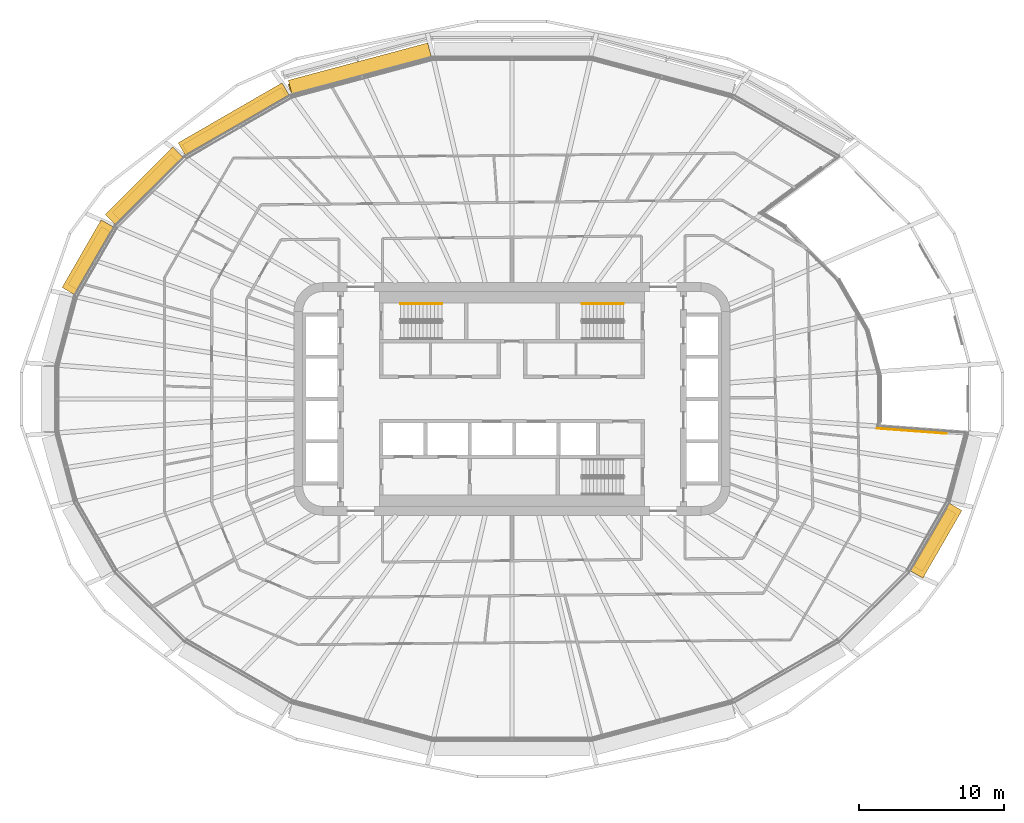
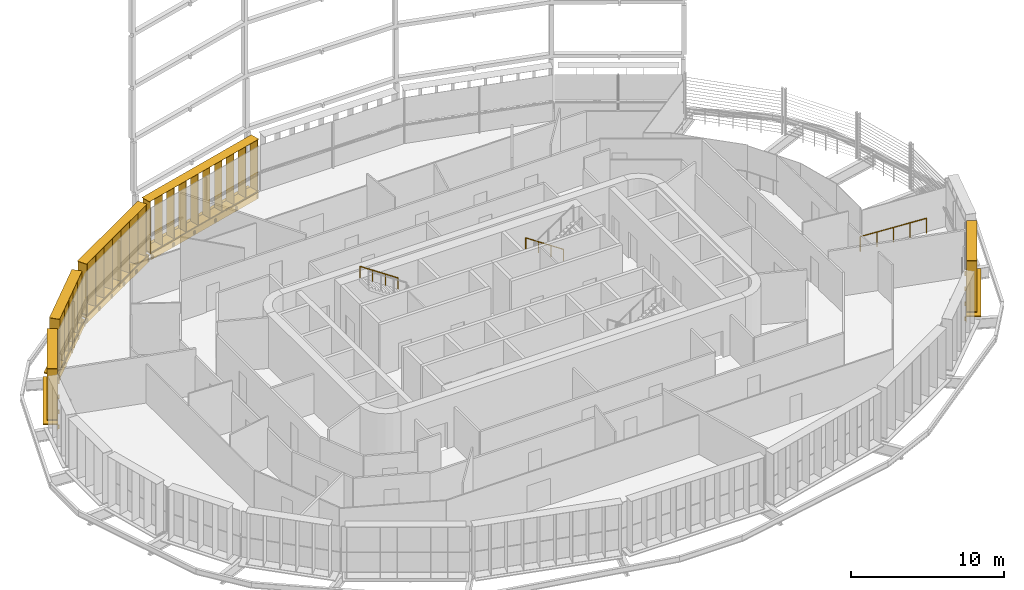
# One storey, part 26 of 28: 10 shading devices, 3 railings.
"""IFC4 building model written with IfcOpenShell, lengths in metres."""

from ifc_helpers import new_model, si_unit, direction, frame, origin, origin_2d, place, context, subcontext, project, spatial, rectangle, circle, extrude, material, type_object, element, save


model = new_model("IFC4")

# Units and contexts
model_context = context("Model", 3, precision=1e-05, world=origin(), true_north=direction((0.0, 1.0)))
body_context = subcontext(model_context, "Body", "Model", "MODEL_VIEW")
ifc_project = project(units=[si_unit("LENGTHUNIT", "METRE"), si_unit("AREAUNIT", "SQUARE_METRE"), si_unit("VOLUMEUNIT", "CUBIC_METRE"), si_unit("PLANEANGLEUNIT", "RADIAN"), si_unit("MASSUNIT", "GRAM", prefix="KILO")], contexts=[model_context])

# Site, building, storey
site_placement = place(None, origin())
site = spatial("IfcSite", under=ifc_project, at=site_placement, CompositionType="ELEMENT")
building_placement = place(site_placement, origin())
building = spatial("IfcBuilding", under=site, at=building_placement, Name="Sahrelin Media Tower", CompositionType="ELEMENT")
storey_placement = place(building_placement, frame((0.0, 0.0, 75.60009765625)))
storey = spatial("IfcBuildingStorey", under=building, at=storey_placement, Name="L13", CompositionType="ELEMENT", Elevation=75.60009765625)

# Shading devices
ifc_material_1 = material(Name="Champagne anodised aluminium 6063-T6", Category="aluminium")
shading_device_type_1 = type_object("IfcShadingDeviceType", Name="Fin cassette", PredefinedType="USERDEFINED", material=ifc_material_1)
placement_1 = place(storey_placement, frame((-10.32666015625, 22.214111328125, 0.0), z_axis=(0.0, 0.0, 1.0), x_axis=(0.965928857556, 0.258807731996, 0.0)))
element("IfcShadingDevice", 1, at=placement_1, inside=storey, type_object=shading_device_type_1, Name="L13:FIN:L13-07", ObjectType="FIN", PredefinedType="USERDEFINED", context=body_context, shape_type="SweptSolid", body=[
    extrude(rectangle(XDim=10.10009765625, YDim=0.699951171875, at=origin_2d()), frame((0.0, 0.419921875, 0.0)), (0.0, 0.0, 1.0), 0.02001953125),
    extrude(rectangle(XDim=10.10009765625, YDim=0.699951171875, at=origin_2d()), frame((0.0, 0.419921875, 4.10009765625)), (0.0, 0.0, 1.0), 0.02001953125),
    extrude(rectangle(XDim=0.02001953125, YDim=0.699951171875, at=origin_2d()), frame((-4.949951171875, 0.419921875, 0.010009765625), z_axis=(0.0, 0.0, 1.0), x_axis=(1.0, 0.0, 0.0)), (0.0, 0.0, 1.0), 4.10009765625),
    extrude(rectangle(XDim=0.02001953125, YDim=0.699951171875, at=origin_2d()), frame((-3.85009765625, 0.419921875, 0.010009765625), z_axis=(0.0, 0.0, 1.0), x_axis=(1.0, 0.0, 0.0)), (0.0, 0.0, 1.0), 4.10009765625),
    extrude(rectangle(XDim=0.02001953125, YDim=0.699951171875, at=origin_2d()), frame((-2.75, 0.419921875, 0.010009765625), z_axis=(0.0, 0.0, 1.0), x_axis=(1.0, 0.0, 0.0)), (0.0, 0.0, 1.0), 4.10009765625),
    extrude(rectangle(XDim=0.02001953125, YDim=0.699951171875, at=origin_2d()), frame((-1.64990234375, 0.419921875, 0.010009765625), z_axis=(0.0, 0.0, 1.0), x_axis=(1.0, 0.0, 0.0)), (0.0, 0.0, 1.0), 4.10009765625),
    extrude(rectangle(XDim=0.02001953125, YDim=0.699951171875, at=origin_2d()), frame((-0.550048828125, 0.419921875, 0.010009765625), z_axis=(0.0, 0.0, 1.0), x_axis=(1.0, 0.0, 0.0)), (0.0, 0.0, 1.0), 4.10009765625),
    extrude(rectangle(XDim=0.02001953125, YDim=0.699951171875, at=origin_2d()), frame((0.550048828125, 0.419921875, 0.010009765625), z_axis=(0.0, 0.0, 1.0), x_axis=(1.0, 0.0, 0.0)), (0.0, 0.0, 1.0), 4.10009765625),
    extrude(rectangle(XDim=0.02001953125, YDim=0.699951171875, at=origin_2d()), frame((1.64990234375, 0.419921875, 0.010009765625), z_axis=(0.0, 0.0, 1.0), x_axis=(1.0, 0.0, 0.0)), (0.0, 0.0, 1.0), 4.10009765625),
    extrude(rectangle(XDim=0.02001953125, YDim=0.699951171875, at=origin_2d()), frame((2.75, 0.419921875, 0.010009765625), z_axis=(0.0, 0.0, 1.0), x_axis=(1.0, 0.0, 0.0)), (0.0, 0.0, 1.0), 4.10009765625),
    extrude(rectangle(XDim=0.02001953125, YDim=0.699951171875, at=origin_2d()), frame((3.85009765625, 0.419921875, 0.010009765625), z_axis=(0.0, 0.0, 1.0), x_axis=(1.0, 0.0, 0.0)), (0.0, 0.0, 1.0), 4.10009765625),
    extrude(rectangle(XDim=0.02001953125, YDim=0.699951171875, at=origin_2d()), frame((4.949951171875, 0.419921875, 0.010009765625), z_axis=(0.0, 0.0, 1.0), x_axis=(1.0, 0.0, 0.0)), (0.0, 0.0, 1.0), 4.10009765625),
])
placement_2 = place(storey_placement, frame((-18.873291015625, 18.79248046875, 0.0), z_axis=(0.0, 0.0, 1.0), x_axis=(0.866019052629, 0.500011000363, 0.0)))
element("IfcShadingDevice", 2, at=placement_2, inside=storey, type_object=shading_device_type_1, Name="L13:FIN:L13-08", ObjectType="FIN", PredefinedType="USERDEFINED", context=body_context, shape_type="SweptSolid", body=[
    extrude(rectangle(XDim=7.89990234375, YDim=0.699951171875, at=origin_2d()), frame((0.0, 0.419921875, 0.0)), (0.0, 0.0, 1.0), 0.02001953125),
    extrude(rectangle(XDim=7.89990234375, YDim=0.699951171875, at=origin_2d()), frame((0.0, 0.419921875, 4.10009765625)), (0.0, 0.0, 1.0), 0.02001953125),
    extrude(rectangle(XDim=0.02001953125, YDim=0.699951171875, at=origin_2d()), frame((-3.85009765625, 0.419921875, 0.010009765625), z_axis=(0.0, 0.0, 1.0), x_axis=(1.0, 0.0, 0.0)), (0.0, 0.0, 1.0), 4.10009765625),
    extrude(rectangle(XDim=0.02001953125, YDim=0.699951171875, at=origin_2d()), frame((-2.75, 0.419921875, 0.010009765625), z_axis=(0.0, 0.0, 1.0), x_axis=(1.0, 0.0, 0.0)), (0.0, 0.0, 1.0), 4.10009765625),
    extrude(rectangle(XDim=0.02001953125, YDim=0.699951171875, at=origin_2d()), frame((-1.64990234375, 0.419921875, 0.010009765625), z_axis=(0.0, 0.0, 1.0), x_axis=(1.0, 0.0, 0.0)), (0.0, 0.0, 1.0), 4.10009765625),
    extrude(rectangle(XDim=0.02001953125, YDim=0.699951171875, at=origin_2d()), frame((-0.550048828125, 0.419921875, 0.010009765625), z_axis=(0.0, 0.0, 1.0), x_axis=(1.0, 0.0, 0.0)), (0.0, 0.0, 1.0), 4.10009765625),
    extrude(rectangle(XDim=0.02001953125, YDim=0.699951171875, at=origin_2d()), frame((0.550048828125, 0.419921875, 0.010009765625), z_axis=(0.0, 0.0, 1.0), x_axis=(1.0, 0.0, 0.0)), (0.0, 0.0, 1.0), 4.10009765625),
    extrude(rectangle(XDim=0.02001953125, YDim=0.699951171875, at=origin_2d()), frame((1.64990234375, 0.419921875, 0.010009765625), z_axis=(0.0, 0.0, 1.0), x_axis=(1.0, 0.0, 0.0)), (0.0, 0.0, 1.0), 4.10009765625),
    extrude(rectangle(XDim=0.02001953125, YDim=0.699951171875, at=origin_2d()), frame((2.75, 0.419921875, 0.010009765625), z_axis=(0.0, 0.0, 1.0), x_axis=(1.0, 0.0, 0.0)), (0.0, 0.0, 1.0), 4.10009765625),
    extrude(rectangle(XDim=0.02001953125, YDim=0.699951171875, at=origin_2d()), frame((3.85009765625, 0.419921875, 0.010009765625), z_axis=(0.0, 0.0, 1.0), x_axis=(1.0, 0.0, 0.0)), (0.0, 0.0, 1.0), 4.10009765625),
])
placement_3 = place(storey_placement, frame((-24.92431640625, 14.287109375, 0.0), z_axis=(0.0, 0.0, 1.0), x_axis=(0.707106781187, 0.707106781187, 0.0)))
element("IfcShadingDevice", 3, at=placement_3, inside=storey, type_object=shading_device_type_1, Name="L13:FIN:L13-09", ObjectType="FIN", PredefinedType="USERDEFINED", context=body_context, shape_type="SweptSolid", body=[
    extrude(rectangle(XDim=5.699951171875, YDim=0.699951171875, at=origin_2d()), frame((0.0, 0.419921875, 0.0)), (0.0, 0.0, 1.0), 0.02001953125),
    extrude(rectangle(XDim=5.699951171875, YDim=0.699951171875, at=origin_2d()), frame((0.0, 0.419921875, 4.10009765625)), (0.0, 0.0, 1.0), 0.02001953125),
    extrude(rectangle(XDim=0.02001953125, YDim=0.699951171875, at=origin_2d()), frame((-2.75, 0.419921875, 0.010009765625), z_axis=(0.0, 0.0, 1.0), x_axis=(1.0, 0.0, 0.0)), (0.0, 0.0, 1.0), 4.10009765625),
    extrude(rectangle(XDim=0.02001953125, YDim=0.699951171875, at=origin_2d()), frame((-1.64990234375, 0.419921875, 0.010009765625), z_axis=(0.0, 0.0, 1.0), x_axis=(1.0, 0.0, 0.0)), (0.0, 0.0, 1.0), 4.10009765625),
    extrude(rectangle(XDim=0.02001953125, YDim=0.699951171875, at=origin_2d()), frame((-0.550048828125, 0.419921875, 0.010009765625), z_axis=(0.0, 0.0, 1.0), x_axis=(1.0, 0.0, 0.0)), (0.0, 0.0, 1.0), 4.10009765625),
    extrude(rectangle(XDim=0.02001953125, YDim=0.699951171875, at=origin_2d()), frame((0.550048828125, 0.419921875, 0.010009765625), z_axis=(0.0, 0.0, 1.0), x_axis=(1.0, 0.0, 0.0)), (0.0, 0.0, 1.0), 4.10009765625),
    extrude(rectangle(XDim=0.02001953125, YDim=0.699951171875, at=origin_2d()), frame((1.64990234375, 0.419921875, 0.010009765625), z_axis=(0.0, 0.0, 1.0), x_axis=(1.0, 0.0, 0.0)), (0.0, 0.0, 1.0), 4.10009765625),
    extrude(rectangle(XDim=0.02001953125, YDim=0.699951171875, at=origin_2d()), frame((2.75, 0.419921875, 0.010009765625), z_axis=(0.0, 0.0, 1.0), x_axis=(1.0, 0.0, 0.0)), (0.0, 0.0, 1.0), 4.10009765625),
])
placement_4 = place(storey_placement, frame((-28.711181640625, 9.48046875, 0.0), z_axis=(0.0, 0.0, 1.0), x_axis=(0.500011000363, 0.866019052629, 0.0)))
element("IfcShadingDevice", 4, at=placement_4, inside=storey, type_object=shading_device_type_1, Name="L13:FIN:L13-10", ObjectType="FIN", PredefinedType="USERDEFINED", context=body_context, shape_type="SweptSolid", body=[
    extrude(rectangle(XDim=4.60009765625, YDim=0.699951171875, at=origin_2d()), frame((0.0, 0.419921875, 0.0)), (0.0, 0.0, 1.0), 0.02001953125),
    extrude(rectangle(XDim=4.60009765625, YDim=0.699951171875, at=origin_2d()), frame((0.0, 0.419921875, 4.10009765625)), (0.0, 0.0, 1.0), 0.02001953125),
    extrude(rectangle(XDim=0.02001953125, YDim=0.699951171875, at=origin_2d()), frame((-2.199951171875, 0.419921875, 0.010009765625), z_axis=(0.0, 0.0, 1.0), x_axis=(1.0, 0.0, 0.0)), (0.0, 0.0, 1.0), 4.10009765625),
    extrude(rectangle(XDim=0.02001953125, YDim=0.699951171875, at=origin_2d()), frame((-1.10009765625, 0.419921875, 0.010009765625), z_axis=(0.0, 0.0, 1.0), x_axis=(1.0, 0.0, 0.0)), (0.0, 0.0, 1.0), 4.10009765625),
    extrude(rectangle(XDim=0.02001953125, YDim=0.699951171875, at=origin_2d()), frame((0.0, 0.419921875, 0.010009765625), z_axis=(0.0, 0.0, 1.0), x_axis=(1.0, 0.0, 0.0)), (0.0, 0.0, 1.0), 4.10009765625),
    extrude(rectangle(XDim=0.02001953125, YDim=0.699951171875, at=origin_2d()), frame((1.10009765625, 0.419921875, 0.010009765625), z_axis=(0.0, 0.0, 1.0), x_axis=(1.0, 0.0, 0.0)), (0.0, 0.0, 1.0), 4.10009765625),
    extrude(rectangle(XDim=0.02001953125, YDim=0.699951171875, at=origin_2d()), frame((2.199951171875, 0.419921875, 0.010009765625), z_axis=(0.0, 0.0, 1.0), x_axis=(1.0, 0.0, 0.0)), (0.0, 0.0, 1.0), 4.10009765625),
])
placement_5 = place(storey_placement, frame((28.711181640625, -9.48046875, 0.0), z_axis=(0.0, 0.0, 1.0), x_axis=(-0.500011000363, -0.866019052629, 0.0)))
element("IfcShadingDevice", 5, at=placement_5, inside=storey, type_object=shading_device_type_1, Name="L13:FIN:L13-22", ObjectType="FIN", PredefinedType="USERDEFINED", context=body_context, shape_type="SweptSolid", body=[
    extrude(rectangle(XDim=4.60009765625, YDim=0.699951171875, at=origin_2d()), frame((0.0, 0.419921875, 0.0)), (0.0, 0.0, 1.0), 0.02001953125),
    extrude(rectangle(XDim=4.60009765625, YDim=0.699951171875, at=origin_2d()), frame((0.0, 0.419921875, 4.10009765625)), (0.0, 0.0, 1.0), 0.02001953125),
    extrude(rectangle(XDim=0.02001953125, YDim=0.699951171875, at=origin_2d()), frame((-2.199951171875, 0.419921875, 0.010009765625), z_axis=(0.0, 0.0, 1.0), x_axis=(1.0, 0.0, 0.0)), (0.0, 0.0, 1.0), 4.10009765625),
    extrude(rectangle(XDim=0.02001953125, YDim=0.699951171875, at=origin_2d()), frame((-1.10009765625, 0.419921875, 0.010009765625), z_axis=(0.0, 0.0, 1.0), x_axis=(1.0, 0.0, 0.0)), (0.0, 0.0, 1.0), 4.10009765625),
    extrude(rectangle(XDim=0.02001953125, YDim=0.699951171875, at=origin_2d()), frame((0.0, 0.419921875, 0.010009765625), z_axis=(0.0, 0.0, 1.0), x_axis=(1.0, 0.0, 0.0)), (0.0, 0.0, 1.0), 4.10009765625),
    extrude(rectangle(XDim=0.02001953125, YDim=0.699951171875, at=origin_2d()), frame((1.10009765625, 0.419921875, 0.010009765625), z_axis=(0.0, 0.0, 1.0), x_axis=(1.0, 0.0, 0.0)), (0.0, 0.0, 1.0), 4.10009765625),
    extrude(rectangle(XDim=0.02001953125, YDim=0.699951171875, at=origin_2d()), frame((2.199951171875, 0.419921875, 0.010009765625), z_axis=(0.0, 0.0, 1.0), x_axis=(1.0, 0.0, 0.0)), (0.0, 0.0, 1.0), 4.10009765625),
])

# Railings
ifc_material_2 = material(Name="Stainless steel 316", Category="steel")
railing_type_1 = type_object("IfcRailingType", Name="Sky garden guard", PredefinedType="GUARDRAIL", material=ifc_material_2)
railing_placement = place(storey_placement, frame((29.874755859375, -2.37890625, 0.0)))
element("IfcRailing", 6, at=railing_placement, inside=storey, type_object=railing_type_1, Name="Sky garden void guard G1-6", PredefinedType="GUARDRAIL", context=body_context, shape_type="SweptSolid", body=[
    extrude(circle(Radius=0.02392578125, at=origin_2d()), frame((0.0, 0.0, 1.17578125), z_axis=(-0.997226090874, 0.074432007089, 0.0), x_axis=(-0.074432007089, -0.997226090874, 0.0)), (0.0, 0.0, 1.0), 4.798828125),
    extrude(circle(Radius=0.02099609375, at=origin_2d()), origin(), (0.0, 0.0, 1.0), 1.15185546875),
    extrude(circle(Radius=0.02099609375, at=origin_2d()), frame((-1.1962890625, 0.08935546875, 0.0)), (0.0, 0.0, 1.0), 1.15185546875),
    extrude(circle(Radius=0.02099609375, at=origin_2d()), frame((-2.392578125, 0.1787109375, 0.0)), (0.0, 0.0, 1.0), 1.15185546875),
    extrude(circle(Radius=0.02099609375, at=origin_2d()), frame((-3.589111328125, 0.267822265625, 0.0)), (0.0, 0.0, 1.0), 1.15185546875),
    extrude(circle(Radius=0.02099609375, at=origin_2d()), frame((-4.785400390625, 0.357177734375, 0.0)), (0.0, 0.0, 1.0), 1.15185546875),
])
ifc_material_3 = material(Name="Steel S355", Category="steel")
railing_type_2 = type_object("IfcRailingType", Name="Stair handrail 900", PredefinedType="HANDRAIL", material=ifc_material_3)
for number, where, name in (
    (7, (-4.81494140625, 6.550048828125, 2.27490234375), "L13 ST1 stair handrail 2"),
    (8, (7.675048828125, 6.550048828125, 0.1748046875), "L13 ST3 stair handrail 1"),
):
    element("IfcRailing", number, at=place(storey_placement, frame(where)), inside=storey, type_object=railing_type_2, Name=name, PredefinedType="HANDRAIL", context=body_context, shape_type="SweptSolid", body=[
        extrude(circle(Radius=0.02392578125, at=origin_2d()), frame((0.0, 0.0, 0.8759765625), z_axis=(-0.829590901723, 0.0, 0.558371682465), x_axis=(0.0, -1.0, 0.0)), (0.0, 0.0, 1.0), 3.447509765625),
        extrude(circle(Radius=0.02099609375, at=origin_2d()), origin(), (0.0, 0.0, 1.0), 0.851806640625),
        extrude(circle(Radius=0.02099609375, at=origin_2d()), frame((-0.953369140625, 0.0, 0.6416015625)), (0.0, 0.0, 1.0), 0.851806640625),
        extrude(circle(Radius=0.02099609375, at=origin_2d()), frame((-1.90673828125, 0.0, 1.283447265625)), (0.0, 0.0, 1.0), 0.851806640625),
        extrude(circle(Radius=0.02099609375, at=origin_2d()), frame((-2.860107421875, 0.0, 1.925048828125)), (0.0, 0.0, 1.0), 0.851806640625),
    ])

# Shading devices
shading_device_type_2 = type_object("IfcShadingDeviceType", Name="Sunshade band", PredefinedType="USERDEFINED", material=ifc_material_1)
element("IfcShadingDevice", 9, at=placement_1, inside=storey, type_object=shading_device_type_2, Name="L13:SUN:L13-07", ObjectType="SUNSHADE", PredefinedType="USERDEFINED", context=body_context, shape_type="SweptSolid", body=[
    extrude(rectangle(XDim=9.925048828125, YDim=0.050048828125, at=origin_2d()), frame((0.0, 0.044921875, -0.55126953125)), (0.0, 0.0, 1.0), 0.471435546875),
    extrude(rectangle(XDim=9.925048828125, YDim=1.0, at=origin_2d()), frame((0.0, 0.52001953125, -0.080078125)), (0.0, 0.0, 1.0), 0.080078125),
    extrude(rectangle(XDim=0.10009765625, YDim=0.074951171875, at=origin_2d()), frame((-4.862548828125, -0.017578125, -0.47021484375)), (0.0, 0.0, 1.0), 0.300048828125),
    extrude(rectangle(XDim=0.10009765625, YDim=0.074951171875, at=origin_2d()), frame((-2.91748046875, -0.017578125, -0.47021484375)), (0.0, 0.0, 1.0), 0.300048828125),
    extrude(rectangle(XDim=0.10009765625, YDim=0.074951171875, at=origin_2d()), frame((-0.972412109375, -0.017578125, -0.47021484375)), (0.0, 0.0, 1.0), 0.300048828125),
    extrude(rectangle(XDim=0.10009765625, YDim=0.074951171875, at=origin_2d()), frame((0.972412109375, -0.017578125, -0.47021484375)), (0.0, 0.0, 1.0), 0.300048828125),
    extrude(rectangle(XDim=0.10009765625, YDim=0.074951171875, at=origin_2d()), frame((2.91748046875, -0.017578125, -0.47021484375)), (0.0, 0.0, 1.0), 0.300048828125),
    extrude(rectangle(XDim=0.10009765625, YDim=0.074951171875, at=origin_2d()), frame((4.862548828125, -0.017578125, -0.47021484375)), (0.0, 0.0, 1.0), 0.300048828125),
])
element("IfcShadingDevice", 10, at=placement_2, inside=storey, type_object=shading_device_type_2, Name="L13:SUN:L13-08", ObjectType="SUNSHADE", PredefinedType="USERDEFINED", context=body_context, shape_type="SweptSolid", body=[
    extrude(rectangle(XDim=8.244873046875, YDim=0.050048828125, at=origin_2d()), frame((0.0, 0.044921875, -0.55126953125)), (0.0, 0.0, 1.0), 0.471435546875),
    extrude(rectangle(XDim=8.244873046875, YDim=1.0, at=origin_2d()), frame((0.0, 0.52001953125, -0.080078125)), (0.0, 0.0, 1.0), 0.080078125),
    extrude(rectangle(XDim=0.10009765625, YDim=0.074951171875, at=origin_2d()), frame((-4.0224609375, -0.017578125, -0.47021484375)), (0.0, 0.0, 1.0), 0.300048828125),
    extrude(rectangle(XDim=0.10009765625, YDim=0.074951171875, at=origin_2d()), frame((-2.41357421875, -0.017578125, -0.47021484375)), (0.0, 0.0, 1.0), 0.300048828125),
    extrude(rectangle(XDim=0.10009765625, YDim=0.074951171875, at=origin_2d()), frame((-0.804443359375, -0.017578125, -0.47021484375)), (0.0, 0.0, 1.0), 0.300048828125),
    extrude(rectangle(XDim=0.10009765625, YDim=0.074951171875, at=origin_2d()), frame((0.804443359375, -0.017578125, -0.47021484375)), (0.0, 0.0, 1.0), 0.300048828125),
    extrude(rectangle(XDim=0.10009765625, YDim=0.074951171875, at=origin_2d()), frame((2.41357421875, -0.017578125, -0.47021484375)), (0.0, 0.0, 1.0), 0.300048828125),
    extrude(rectangle(XDim=0.10009765625, YDim=0.074951171875, at=origin_2d()), frame((4.0224609375, -0.017578125, -0.47021484375)), (0.0, 0.0, 1.0), 0.300048828125),
])
element("IfcShadingDevice", 11, at=placement_3, inside=storey, type_object=shading_device_type_2, Name="L13:SUN:L13-09", ObjectType="SUNSHADE", PredefinedType="USERDEFINED", context=body_context, shape_type="SweptSolid", body=[
    extrude(rectangle(XDim=6.57177734375, YDim=0.050048828125, at=origin_2d()), frame((0.0, 0.044921875, -0.55126953125)), (0.0, 0.0, 1.0), 0.471435546875),
    extrude(rectangle(XDim=6.57177734375, YDim=1.0, at=origin_2d()), frame((0.0, 0.52001953125, -0.080078125)), (0.0, 0.0, 1.0), 0.080078125),
    extrude(rectangle(XDim=0.10009765625, YDim=0.074951171875, at=origin_2d()), frame((-3.185791015625, -0.017578125, -0.47021484375)), (0.0, 0.0, 1.0), 0.300048828125),
    extrude(rectangle(XDim=0.10009765625, YDim=0.074951171875, at=origin_2d()), frame((-1.593017578125, -0.017578125, -0.47021484375)), (0.0, 0.0, 1.0), 0.300048828125),
    extrude(rectangle(XDim=0.10009765625, YDim=0.074951171875, at=origin_2d()), frame((0.0, -0.017578125, -0.47021484375)), (0.0, 0.0, 1.0), 0.300048828125),
    extrude(rectangle(XDim=0.10009765625, YDim=0.074951171875, at=origin_2d()), frame((1.593017578125, -0.017578125, -0.47021484375)), (0.0, 0.0, 1.0), 0.300048828125),
    extrude(rectangle(XDim=0.10009765625, YDim=0.074951171875, at=origin_2d()), frame((3.185791015625, -0.017578125, -0.47021484375)), (0.0, 0.0, 1.0), 0.300048828125),
])
element("IfcShadingDevice", 12, at=placement_4, inside=storey, type_object=shading_device_type_2, Name="L13:SUN:L13-10", ObjectType="SUNSHADE", PredefinedType="USERDEFINED", context=body_context, shape_type="SweptSolid", body=[
    extrude(rectangle(XDim=5.37109375, YDim=0.050048828125, at=origin_2d()), frame((0.0, 0.044921875, -0.55126953125)), (0.0, 0.0, 1.0), 0.471435546875),
    extrude(rectangle(XDim=5.37109375, YDim=1.0, at=origin_2d()), frame((0.0, 0.52001953125, -0.080078125)), (0.0, 0.0, 1.0), 0.080078125),
    extrude(rectangle(XDim=0.10009765625, YDim=0.074951171875, at=origin_2d()), frame((-2.585693359375, -0.017578125, -0.47021484375)), (0.0, 0.0, 1.0), 0.300048828125),
    extrude(rectangle(XDim=0.10009765625, YDim=0.074951171875, at=origin_2d()), frame((-0.86181640625, -0.017578125, -0.47021484375)), (0.0, 0.0, 1.0), 0.300048828125),
    extrude(rectangle(XDim=0.10009765625, YDim=0.074951171875, at=origin_2d()), frame((0.86181640625, -0.017578125, -0.47021484375)), (0.0, 0.0, 1.0), 0.300048828125),
    extrude(rectangle(XDim=0.10009765625, YDim=0.074951171875, at=origin_2d()), frame((2.585693359375, -0.017578125, -0.47021484375)), (0.0, 0.0, 1.0), 0.300048828125),
])
element("IfcShadingDevice", 13, at=placement_5, inside=storey, type_object=shading_device_type_2, Name="L13:SUN:L13-22", ObjectType="SUNSHADE", PredefinedType="USERDEFINED", context=body_context, shape_type="SweptSolid", body=[
    extrude(rectangle(XDim=5.37109375, YDim=0.050048828125, at=origin_2d()), frame((0.0, 0.044921875, -0.55126953125)), (0.0, 0.0, 1.0), 0.471435546875),
    extrude(rectangle(XDim=5.37109375, YDim=1.0, at=origin_2d()), frame((0.0, 0.52001953125, -0.080078125)), (0.0, 0.0, 1.0), 0.080078125),
    extrude(rectangle(XDim=0.10009765625, YDim=0.074951171875, at=origin_2d()), frame((-2.585693359375, -0.017578125, -0.47021484375)), (0.0, 0.0, 1.0), 0.300048828125),
    extrude(rectangle(XDim=0.10009765625, YDim=0.074951171875, at=origin_2d()), frame((-0.86181640625, -0.017578125, -0.47021484375)), (0.0, 0.0, 1.0), 0.300048828125),
    extrude(rectangle(XDim=0.10009765625, YDim=0.074951171875, at=origin_2d()), frame((0.86181640625, -0.017578125, -0.47021484375)), (0.0, 0.0, 1.0), 0.300048828125),
    extrude(rectangle(XDim=0.10009765625, YDim=0.074951171875, at=origin_2d()), frame((2.585693359375, -0.017578125, -0.47021484375)), (0.0, 0.0, 1.0), 0.300048828125),
])

save(model, "model.ifc")
